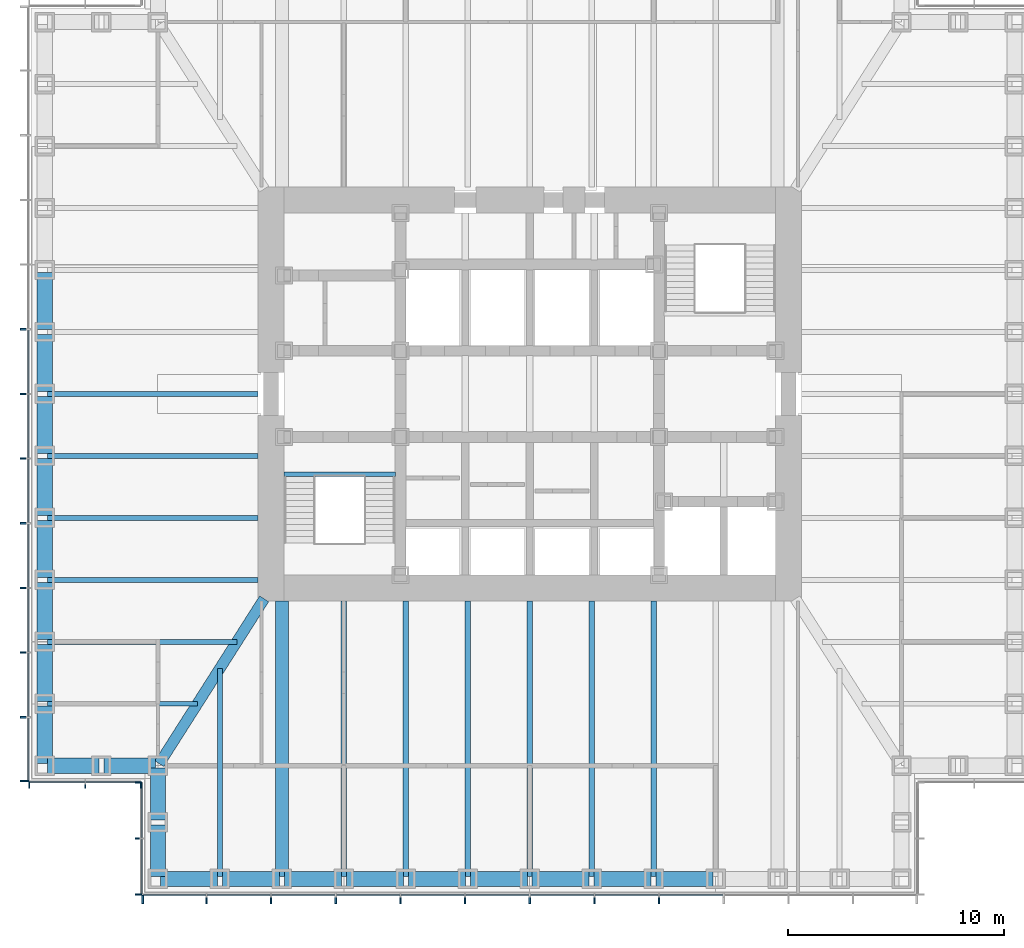
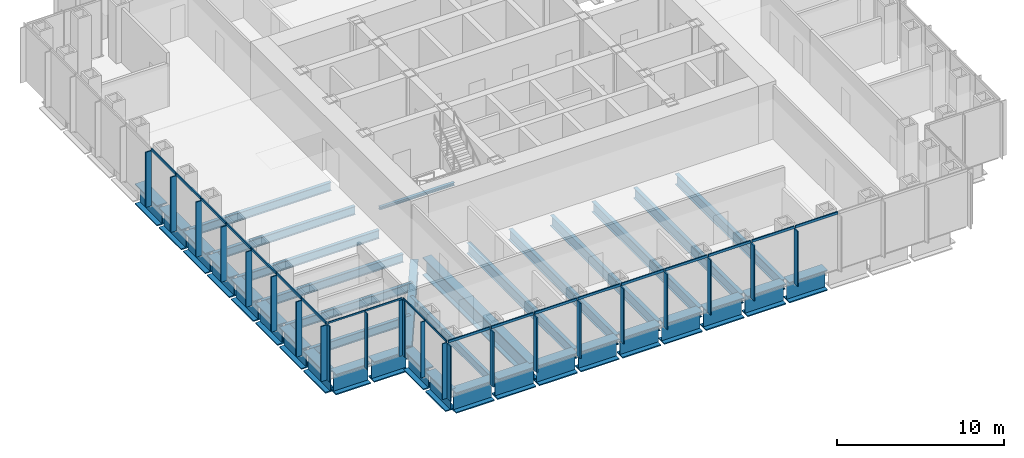
# One storey, part 2 of 17: 43 members, 37 beams, 4 elements without a shape of their own.
"""IFC4 building model written with IfcOpenShell, lengths in metres."""

from ifc_helpers import new_model, si_unit, direction, frame, origin, origin_2d, place, context, subcontext, project, spatial, rectangle, i_section, extrude, material, material_profile, profile_set, type_object, element, aggregate, save


model = new_model("IFC4")

# Units and contexts
model_context = context("Model", 3, precision=1e-05, world=origin(), true_north=direction((0.0, 1.0)))
body_context = subcontext(model_context, "Body", "Model", "MODEL_VIEW")
ifc_project = project(units=[si_unit("LENGTHUNIT", "METRE"), si_unit("AREAUNIT", "SQUARE_METRE"), si_unit("VOLUMEUNIT", "CUBIC_METRE"), si_unit("PLANEANGLEUNIT", "RADIAN"), si_unit("MASSUNIT", "GRAM", prefix="KILO")], contexts=[model_context])

# Site, building, storey
site_placement = place(None, origin())
site = spatial("IfcSite", under=ifc_project, at=site_placement, CompositionType="ELEMENT")
building_placement = place(site_placement, origin())
building = spatial("IfcBuilding", under=site, at=building_placement, Name="Daluyong Arena Tower", CompositionType="ELEMENT")
storey_placement = place(building_placement, frame((0.0, 0.0, 171.10009765625)))
storey = spatial("IfcBuildingStorey", under=building, at=storey_placement, Name="L38", CompositionType="ELEMENT", Elevation=171.10009765625)

# Curtain wall, members
ifc_material_1 = material(Name="Bronze anodised aluminium and glass", Category="aluminium")
curtain_wall_type_1 = type_object("IfcCurtainWallType", Name="Curtain wall CW2", PredefinedType="USERDEFINED", material=ifc_material_1)
curtain_wall_1_placement = place(storey_placement, origin())
curtain_wall_1 = element("IfcCurtainWall", 1, at=curtain_wall_1_placement, inside=storey, type_object=curtain_wall_type_1, Name="curtain wall L38 S", ObjectType="UNITISED CURTAIN WALL", PredefinedType="USERDEFINED")
ifc_material_2 = material(Name="Bronze anodised aluminium fin", Category="aluminium")
ifc_material_profile_1 = material_profile(ifc_material_2, rectangle(XDim=0.39990234375, YDim=0.080078125, at=origin_2d()))
ifc_profile_set_1 = profile_set([ifc_material_profile_1], Name="Bronze anodised aluminium fin")
member_type_1 = type_object("IfcMemberType", Name="CW2 bronze fin 400x80", PredefinedType="MULLION", material=ifc_profile_set_1)
member_1_placement = place(storey_placement, frame((38.0400390625, 56.550048828125, 0.0), z_axis=(0.0, 0.0, 1.0), x_axis=(0.0, 1.0, 0.0)))
member_1 = element("IfcMember", 2, at=member_1_placement, type_object=member_type_1, Name="curtain wall L38 S fin 1", PredefinedType="MULLION", context=body_context, shape_type="SweptSolid", body=[
    extrude(rectangle(XDim=0.39990234375, YDim=0.080078125, at=origin_2d()), origin(), (0.0, 0.0, 1.0), 4.02001953125),
])
member_2_placement = place(storey_placement, frame((41.0, 56.550048828125, 0.0), z_axis=(0.0, 0.0, 1.0), x_axis=(0.0, 1.0, 0.0)))
member_2 = element("IfcMember", 3, at=member_2_placement, type_object=member_type_1, Name="curtain wall L38 S fin 2", PredefinedType="MULLION", context=body_context, shape_type="SweptSolid", body=[
    extrude(rectangle(XDim=0.39990234375, YDim=0.080078125, at=origin_2d()), origin(), (0.0, 0.0, 1.0), 4.02001953125),
])
member_3_placement = place(storey_placement, frame((44.0, 56.550048828125, 0.0), z_axis=(0.0, 0.0, 1.0), x_axis=(0.0, 1.0, 0.0)))
member_3 = element("IfcMember", 4, at=member_3_placement, type_object=member_type_1, Name="curtain wall L38 S fin 3", PredefinedType="MULLION", context=body_context, shape_type="SweptSolid", body=[
    extrude(rectangle(XDim=0.39990234375, YDim=0.080078125, at=origin_2d()), origin(), (0.0, 0.0, 1.0), 4.02001953125),
])
member_4_placement = place(storey_placement, frame((47.0, 56.550048828125, 0.0), z_axis=(0.0, 0.0, 1.0), x_axis=(0.0, 1.0, 0.0)))
member_4 = element("IfcMember", 5, at=member_4_placement, type_object=member_type_1, Name="curtain wall L38 S fin 4", PredefinedType="MULLION", context=body_context, shape_type="SweptSolid", body=[
    extrude(rectangle(XDim=0.39990234375, YDim=0.080078125, at=origin_2d()), origin(), (0.0, 0.0, 1.0), 4.02001953125),
])
member_5_placement = place(storey_placement, frame((50.0, 56.550048828125, 0.0), z_axis=(0.0, 0.0, 1.0), x_axis=(0.0, 1.0, 0.0)))
member_5 = element("IfcMember", 6, at=member_5_placement, type_object=member_type_1, Name="curtain wall L38 S fin 5", PredefinedType="MULLION", context=body_context, shape_type="SweptSolid", body=[
    extrude(rectangle(XDim=0.39990234375, YDim=0.080078125, at=origin_2d()), origin(), (0.0, 0.0, 1.0), 4.02001953125),
])
member_6_placement = place(storey_placement, frame((53.0, 56.550048828125, 0.0), z_axis=(0.0, 0.0, 1.0), x_axis=(0.0, 1.0, 0.0)))
member_6 = element("IfcMember", 7, at=member_6_placement, type_object=member_type_1, Name="curtain wall L38 S fin 6", PredefinedType="MULLION", context=body_context, shape_type="SweptSolid", body=[
    extrude(rectangle(XDim=0.39990234375, YDim=0.080078125, at=origin_2d()), origin(), (0.0, 0.0, 1.0), 4.02001953125),
])
member_7_placement = place(storey_placement, frame((56.0, 56.550048828125, 0.0), z_axis=(0.0, 0.0, 1.0), x_axis=(0.0, 1.0, 0.0)))
member_7 = element("IfcMember", 8, at=member_7_placement, type_object=member_type_1, Name="curtain wall L38 S fin 7", PredefinedType="MULLION", context=body_context, shape_type="SweptSolid", body=[
    extrude(rectangle(XDim=0.39990234375, YDim=0.080078125, at=origin_2d()), origin(), (0.0, 0.0, 1.0), 4.02001953125),
])
member_8_placement = place(storey_placement, frame((59.0, 56.550048828125, 0.0), z_axis=(0.0, 0.0, 1.0), x_axis=(0.0, 1.0, 0.0)))
member_8 = element("IfcMember", 9, at=member_8_placement, type_object=member_type_1, Name="curtain wall L38 S fin 8", PredefinedType="MULLION", context=body_context, shape_type="SweptSolid", body=[
    extrude(rectangle(XDim=0.39990234375, YDim=0.080078125, at=origin_2d()), origin(), (0.0, 0.0, 1.0), 4.02001953125),
])
member_9_placement = place(storey_placement, frame((62.0, 56.550048828125, 0.0), z_axis=(0.0, 0.0, 1.0), x_axis=(0.0, 1.0, 0.0)))
member_9 = element("IfcMember", 10, at=member_9_placement, type_object=member_type_1, Name="curtain wall L38 S fin 9", PredefinedType="MULLION", context=body_context, shape_type="SweptSolid", body=[
    extrude(rectangle(XDim=0.39990234375, YDim=0.080078125, at=origin_2d()), origin(), (0.0, 0.0, 1.0), 4.02001953125),
])

curtain_wall_2_placement = place(storey_placement, origin())
curtain_wall_2 = element("IfcCurtainWall", 11, at=curtain_wall_2_placement, inside=storey, type_object=curtain_wall_type_1, Name="curtain wall L38 W", ObjectType="UNITISED CURTAIN WALL", PredefinedType="USERDEFINED")
member_10_placement = place(storey_placement, frame((32.550048828125, 83.0, 0.0), z_axis=(0.0, 0.0, 1.0), x_axis=(1.0, 0.0, 0.0)))
member_10 = element("IfcMember", 12, at=member_10_placement, type_object=member_type_1, Name="curtain wall L38 W fin 6", PredefinedType="MULLION", context=body_context, shape_type="SweptSolid", body=[
    extrude(rectangle(XDim=0.39990234375, YDim=0.080078125, at=origin_2d()), origin(), (0.0, 0.0, 1.0), 4.02001953125),
])
member_11_placement = place(storey_placement, frame((32.550048828125, 80.0, 0.0), z_axis=(0.0, 0.0, 1.0), x_axis=(1.0, 0.0, 0.0)))
member_11 = element("IfcMember", 13, at=member_11_placement, type_object=member_type_1, Name="curtain wall L38 W fin 7", PredefinedType="MULLION", context=body_context, shape_type="SweptSolid", body=[
    extrude(rectangle(XDim=0.39990234375, YDim=0.080078125, at=origin_2d()), origin(), (0.0, 0.0, 1.0), 4.02001953125),
])
member_12_placement = place(storey_placement, frame((32.550048828125, 77.0, 0.0), z_axis=(0.0, 0.0, 1.0), x_axis=(1.0, 0.0, 0.0)))
member_12 = element("IfcMember", 14, at=member_12_placement, type_object=member_type_1, Name="curtain wall L38 W fin 8", PredefinedType="MULLION", context=body_context, shape_type="SweptSolid", body=[
    extrude(rectangle(XDim=0.39990234375, YDim=0.080078125, at=origin_2d()), origin(), (0.0, 0.0, 1.0), 4.02001953125),
])
member_13_placement = place(storey_placement, frame((32.550048828125, 74.0, 0.0), z_axis=(0.0, 0.0, 1.0), x_axis=(1.0, 0.0, 0.0)))
member_13 = element("IfcMember", 15, at=member_13_placement, type_object=member_type_1, Name="curtain wall L38 W fin 9", PredefinedType="MULLION", context=body_context, shape_type="SweptSolid", body=[
    extrude(rectangle(XDim=0.39990234375, YDim=0.080078125, at=origin_2d()), origin(), (0.0, 0.0, 1.0), 4.02001953125),
])
member_14_placement = place(storey_placement, frame((32.550048828125, 71.0, 0.0), z_axis=(0.0, 0.0, 1.0), x_axis=(1.0, 0.0, 0.0)))
member_14 = element("IfcMember", 16, at=member_14_placement, type_object=member_type_1, Name="curtain wall L38 W fin 10", PredefinedType="MULLION", context=body_context, shape_type="SweptSolid", body=[
    extrude(rectangle(XDim=0.39990234375, YDim=0.080078125, at=origin_2d()), origin(), (0.0, 0.0, 1.0), 4.02001953125),
])
member_15_placement = place(storey_placement, frame((32.550048828125, 68.0, 0.0), z_axis=(0.0, 0.0, 1.0), x_axis=(1.0, 0.0, 0.0)))
member_15 = element("IfcMember", 17, at=member_15_placement, type_object=member_type_1, Name="curtain wall L38 W fin 11", PredefinedType="MULLION", context=body_context, shape_type="SweptSolid", body=[
    extrude(rectangle(XDim=0.39990234375, YDim=0.080078125, at=origin_2d()), origin(), (0.0, 0.0, 1.0), 4.02001953125),
])
member_16_placement = place(storey_placement, frame((32.550048828125, 65.0, 0.0), z_axis=(0.0, 0.0, 1.0), x_axis=(1.0, 0.0, 0.0)))
member_16 = element("IfcMember", 18, at=member_16_placement, type_object=member_type_1, Name="curtain wall L38 W fin 12", PredefinedType="MULLION", context=body_context, shape_type="SweptSolid", body=[
    extrude(rectangle(XDim=0.39990234375, YDim=0.080078125, at=origin_2d()), origin(), (0.0, 0.0, 1.0), 4.02001953125),
])
member_17_placement = place(storey_placement, frame((32.550048828125, 62.0400390625, 0.0), z_axis=(0.0, 0.0, 1.0), x_axis=(1.0, 0.0, 0.0)))
member_17 = element("IfcMember", 19, at=member_17_placement, type_object=member_type_1, Name="curtain wall L38 W fin 13", PredefinedType="MULLION", context=body_context, shape_type="SweptSolid", body=[
    extrude(rectangle(XDim=0.39990234375, YDim=0.080078125, at=origin_2d()), origin(), (0.0, 0.0, 1.0), 4.02001953125),
])

# Member
ifc_material_3 = material(Name="Bronze anodised aluminium", Category="aluminium")
ifc_material_profile_2 = material_profile(ifc_material_3, rectangle(XDim=0.080078125, YDim=0.179931640625, at=origin_2d()))
ifc_profile_set_2 = profile_set([ifc_material_profile_2], Name="Bronze anodised aluminium")
member_type_2 = type_object("IfcMemberType", Name="CW2 stack transom 180x80", PredefinedType="USERDEFINED", material=ifc_profile_set_2)
member_18_placement = place(storey_placement, frame((38.080078125, 56.75, 4.10986328125), z_axis=(1.0, 0.0, 0.0), x_axis=(0.0, 1.0, 0.0)))
member_18 = element("IfcMember", 20, at=member_18_placement, type_object=member_type_2, Name="curtain wall L38 S transom 1", ObjectType="TRANSOM", PredefinedType="USERDEFINED", context=body_context, shape_type="SweptSolid", body=[
    extrude(rectangle(XDim=0.080078125, YDim=0.179931640625, at=origin_2d()), origin(), (0.0, 0.0, 1.0), 2.8798828125),
])

member_19_placement = place(storey_placement, frame((41.0400390625, 56.75, 4.10986328125), z_axis=(1.0, 0.0, 0.0), x_axis=(0.0, 1.0, 0.0)))
member_19 = element("IfcMember", 21, at=member_19_placement, type_object=member_type_2, Name="curtain wall L38 S transom 2", ObjectType="TRANSOM", PredefinedType="USERDEFINED", context=body_context, shape_type="SweptSolid", body=[
    extrude(rectangle(XDim=0.080078125, YDim=0.179931640625, at=origin_2d()), origin(), (0.0, 0.0, 1.0), 2.919921875),
])

member_20_placement = place(storey_placement, frame((44.0400390625, 56.75, 4.10986328125), z_axis=(1.0, 0.0, 0.0), x_axis=(0.0, 1.0, 0.0)))
member_20 = element("IfcMember", 22, at=member_20_placement, type_object=member_type_2, Name="curtain wall L38 S transom 3", ObjectType="TRANSOM", PredefinedType="USERDEFINED", context=body_context, shape_type="SweptSolid", body=[
    extrude(rectangle(XDim=0.080078125, YDim=0.179931640625, at=origin_2d()), origin(), (0.0, 0.0, 1.0), 2.919921875),
])

member_21_placement = place(storey_placement, frame((47.0400390625, 56.75, 4.10986328125), z_axis=(1.0, 0.0, 0.0), x_axis=(0.0, 1.0, 0.0)))
member_21 = element("IfcMember", 23, at=member_21_placement, type_object=member_type_2, Name="curtain wall L38 S transom 4", ObjectType="TRANSOM", PredefinedType="USERDEFINED", context=body_context, shape_type="SweptSolid", body=[
    extrude(rectangle(XDim=0.080078125, YDim=0.179931640625, at=origin_2d()), origin(), (0.0, 0.0, 1.0), 2.919921875),
])

member_22_placement = place(storey_placement, frame((50.0400390625, 56.75, 4.10986328125), z_axis=(1.0, 0.0, 0.0), x_axis=(0.0, 1.0, 0.0)))
member_22 = element("IfcMember", 24, at=member_22_placement, type_object=member_type_2, Name="curtain wall L38 S transom 5", ObjectType="TRANSOM", PredefinedType="USERDEFINED", context=body_context, shape_type="SweptSolid", body=[
    extrude(rectangle(XDim=0.080078125, YDim=0.179931640625, at=origin_2d()), origin(), (0.0, 0.0, 1.0), 2.919921875),
])

member_23_placement = place(storey_placement, frame((53.0400390625, 56.75, 4.10986328125), z_axis=(1.0, 0.0, 0.0), x_axis=(0.0, 1.0, 0.0)))
member_23 = element("IfcMember", 25, at=member_23_placement, type_object=member_type_2, Name="curtain wall L38 S transom 6", ObjectType="TRANSOM", PredefinedType="USERDEFINED", context=body_context, shape_type="SweptSolid", body=[
    extrude(rectangle(XDim=0.080078125, YDim=0.179931640625, at=origin_2d()), origin(), (0.0, 0.0, 1.0), 2.919921875),
])

member_24_placement = place(storey_placement, frame((56.0400390625, 56.75, 4.10986328125), z_axis=(1.0, 0.0, 0.0), x_axis=(0.0, 1.0, 0.0)))
member_24 = element("IfcMember", 26, at=member_24_placement, type_object=member_type_2, Name="curtain wall L38 S transom 7", ObjectType="TRANSOM", PredefinedType="USERDEFINED", context=body_context, shape_type="SweptSolid", body=[
    extrude(rectangle(XDim=0.080078125, YDim=0.179931640625, at=origin_2d()), origin(), (0.0, 0.0, 1.0), 2.919921875),
])

member_25_placement = place(storey_placement, frame((59.0400390625, 56.75, 4.10986328125), z_axis=(1.0, 0.0, 0.0), x_axis=(0.0, 1.0, 0.0)))
member_25 = element("IfcMember", 27, at=member_25_placement, type_object=member_type_2, Name="curtain wall L38 S transom 8", ObjectType="TRANSOM", PredefinedType="USERDEFINED", context=body_context, shape_type="SweptSolid", body=[
    extrude(rectangle(XDim=0.080078125, YDim=0.179931640625, at=origin_2d()), origin(), (0.0, 0.0, 1.0), 2.919921875),
])

member_26_placement = place(storey_placement, frame((62.0400390625, 56.75, 4.10986328125), z_axis=(1.0, 0.0, 0.0), x_axis=(0.0, 1.0, 0.0)))
member_26 = element("IfcMember", 28, at=member_26_placement, type_object=member_type_2, Name="curtain wall L38 S transom 9", ObjectType="TRANSOM", PredefinedType="USERDEFINED", context=body_context, shape_type="SweptSolid", body=[
    extrude(rectangle(XDim=0.080078125, YDim=0.179931640625, at=origin_2d()), origin(), (0.0, 0.0, 1.0), 2.919921875),
])

aggregate(curtain_wall_1, [member_1, member_2, member_3, member_4, member_5, member_6, member_7, member_8, member_9, member_18, member_19, member_20, member_21, member_22, member_23, member_24, member_25, member_26])

member_27_placement = place(storey_placement, frame((32.75, 82.9599609375, 4.10986328125), z_axis=(0.0, -1.0, 0.0), x_axis=(1.0, 0.0, 0.0)))
member_27 = element("IfcMember", 29, at=member_27_placement, type_object=member_type_2, Name="curtain wall L38 W transom 6", ObjectType="TRANSOM", PredefinedType="USERDEFINED", context=body_context, shape_type="SweptSolid", body=[
    extrude(rectangle(XDim=0.080078125, YDim=0.179931640625, at=origin_2d()), origin(), (0.0, 0.0, 1.0), 2.919921875),
])

member_28_placement = place(storey_placement, frame((32.75, 79.9599609375, 4.10986328125), z_axis=(0.0, -1.0, 0.0), x_axis=(1.0, 0.0, 0.0)))
member_28 = element("IfcMember", 30, at=member_28_placement, type_object=member_type_2, Name="curtain wall L38 W transom 7", ObjectType="TRANSOM", PredefinedType="USERDEFINED", context=body_context, shape_type="SweptSolid", body=[
    extrude(rectangle(XDim=0.080078125, YDim=0.179931640625, at=origin_2d()), origin(), (0.0, 0.0, 1.0), 2.919921875),
])

member_29_placement = place(storey_placement, frame((32.75, 76.9599609375, 4.10986328125), z_axis=(0.0, -1.0, 0.0), x_axis=(1.0, 0.0, 0.0)))
member_29 = element("IfcMember", 31, at=member_29_placement, type_object=member_type_2, Name="curtain wall L38 W transom 8", ObjectType="TRANSOM", PredefinedType="USERDEFINED", context=body_context, shape_type="SweptSolid", body=[
    extrude(rectangle(XDim=0.080078125, YDim=0.179931640625, at=origin_2d()), origin(), (0.0, 0.0, 1.0), 2.919921875),
])

member_30_placement = place(storey_placement, frame((32.75, 73.9599609375, 4.10986328125), z_axis=(0.0, -1.0, 0.0), x_axis=(1.0, 0.0, 0.0)))
member_30 = element("IfcMember", 32, at=member_30_placement, type_object=member_type_2, Name="curtain wall L38 W transom 9", ObjectType="TRANSOM", PredefinedType="USERDEFINED", context=body_context, shape_type="SweptSolid", body=[
    extrude(rectangle(XDim=0.080078125, YDim=0.179931640625, at=origin_2d()), origin(), (0.0, 0.0, 1.0), 2.919921875),
])

member_31_placement = place(storey_placement, frame((32.75, 70.9599609375, 4.10986328125), z_axis=(0.0, -1.0, 0.0), x_axis=(1.0, 0.0, 0.0)))
member_31 = element("IfcMember", 33, at=member_31_placement, type_object=member_type_2, Name="curtain wall L38 W transom 10", ObjectType="TRANSOM", PredefinedType="USERDEFINED", context=body_context, shape_type="SweptSolid", body=[
    extrude(rectangle(XDim=0.080078125, YDim=0.179931640625, at=origin_2d()), origin(), (0.0, 0.0, 1.0), 2.919921875),
])

member_32_placement = place(storey_placement, frame((32.75, 67.9599609375, 4.10986328125), z_axis=(0.0, -1.0, 0.0), x_axis=(1.0, 0.0, 0.0)))
member_32 = element("IfcMember", 34, at=member_32_placement, type_object=member_type_2, Name="curtain wall L38 W transom 11", ObjectType="TRANSOM", PredefinedType="USERDEFINED", context=body_context, shape_type="SweptSolid", body=[
    extrude(rectangle(XDim=0.080078125, YDim=0.179931640625, at=origin_2d()), origin(), (0.0, 0.0, 1.0), 2.919921875),
])

member_33_placement = place(storey_placement, frame((32.75, 64.9599609375, 4.10986328125), z_axis=(0.0, -1.0, 0.0), x_axis=(1.0, 0.0, 0.0)))
member_33 = element("IfcMember", 35, at=member_33_placement, type_object=member_type_2, Name="curtain wall L38 W transom 12", ObjectType="TRANSOM", PredefinedType="USERDEFINED", context=body_context, shape_type="SweptSolid", body=[
    extrude(rectangle(XDim=0.080078125, YDim=0.179931640625, at=origin_2d()), origin(), (0.0, 0.0, 1.0), 2.8798828125),
])

aggregate(curtain_wall_2, [member_10, member_11, member_12, member_13, member_14, member_15, member_16, member_17, member_27, member_28, member_29, member_30, member_31, member_32, member_33])

# Curtain wall, members
ifc_material_4 = material(Name="Bronze anodised aluminium and glass", Category="aluminium")
curtain_wall_type_2 = type_object("IfcCurtainWallType", Name="Curtain wall CW7", PredefinedType="USERDEFINED", material=ifc_material_4)
curtain_wall_3_placement = place(storey_placement, origin())
curtain_wall_3 = element("IfcCurtainWall", 36, at=curtain_wall_3_placement, inside=storey, type_object=curtain_wall_type_2, Name="curtain wall L38 SW-S", ObjectType="UNITISED CURTAIN WALL", PredefinedType="USERDEFINED")
ifc_material_5 = material(Name="Bronze anodised aluminium fin", Category="aluminium")
ifc_material_profile_3 = material_profile(ifc_material_5, rectangle(XDim=0.300048828125, YDim=0.06005859375, at=origin_2d()))
ifc_profile_set_3 = profile_set([ifc_material_profile_3], Name="Bronze anodised aluminium fin")
member_type_3 = type_object("IfcMemberType", Name="CW7 bronze fin 300x60", PredefinedType="MULLION", material=ifc_profile_set_3)
member_34_placement = place(storey_placement, frame((32.780029296875, 61.85009765625, 0.0), z_axis=(0.0, 0.0, 1.0), x_axis=(0.0, 1.0, 0.0)))
member_34 = element("IfcMember", 37, at=member_34_placement, type_object=member_type_3, Name="curtain wall L38 SW-S fin 1", PredefinedType="MULLION", context=body_context, shape_type="SweptSolid", body=[
    extrude(rectangle(XDim=0.300048828125, YDim=0.06005859375, at=origin_2d()), origin(), (0.0, 0.0, 1.0), 4.079833984375),
])
member_35_placement = place(storey_placement, frame((35.375, 61.85009765625, 0.0), z_axis=(0.0, 0.0, 1.0), x_axis=(0.0, 1.0, 0.0)))
member_35 = element("IfcMember", 38, at=member_35_placement, type_object=member_type_3, Name="curtain wall L38 SW-S fin 2", PredefinedType="MULLION", context=body_context, shape_type="SweptSolid", body=[
    extrude(rectangle(XDim=0.300048828125, YDim=0.06005859375, at=origin_2d()), origin(), (0.0, 0.0, 1.0), 4.079833984375),
])
member_36_placement = place(storey_placement, frame((37.969970703125, 61.85009765625, 0.0), z_axis=(0.0, 0.0, 1.0), x_axis=(0.0, 1.0, 0.0)))
member_36 = element("IfcMember", 39, at=member_36_placement, type_object=member_type_3, Name="curtain wall L38 SW-S fin 3", PredefinedType="MULLION", context=body_context, shape_type="SweptSolid", body=[
    extrude(rectangle(XDim=0.300048828125, YDim=0.06005859375, at=origin_2d()), origin(), (0.0, 0.0, 1.0), 4.079833984375),
])

curtain_wall_4_placement = place(storey_placement, origin())
curtain_wall_4 = element("IfcCurtainWall", 40, at=curtain_wall_4_placement, inside=storey, type_object=curtain_wall_type_2, Name="curtain wall L38 SW-W", ObjectType="UNITISED CURTAIN WALL", PredefinedType="USERDEFINED")
member_37_placement = place(storey_placement, frame((37.85009765625, 61.969970703125, 0.0), z_axis=(0.0, 0.0, 1.0), x_axis=(1.0, 0.0, 0.0)))
member_37 = element("IfcMember", 41, at=member_37_placement, type_object=member_type_3, Name="curtain wall L38 SW-W fin 1", PredefinedType="MULLION", context=body_context, shape_type="SweptSolid", body=[
    extrude(rectangle(XDim=0.300048828125, YDim=0.06005859375, at=origin_2d()), origin(), (0.0, 0.0, 1.0), 4.079833984375),
])
member_38_placement = place(storey_placement, frame((37.85009765625, 59.375, 0.0), z_axis=(0.0, 0.0, 1.0), x_axis=(1.0, 0.0, 0.0)))
member_38 = element("IfcMember", 42, at=member_38_placement, type_object=member_type_3, Name="curtain wall L38 SW-W fin 2", PredefinedType="MULLION", context=body_context, shape_type="SweptSolid", body=[
    extrude(rectangle(XDim=0.300048828125, YDim=0.06005859375, at=origin_2d()), origin(), (0.0, 0.0, 1.0), 4.079833984375),
])
member_39_placement = place(storey_placement, frame((37.85009765625, 56.780029296875, 0.0), z_axis=(0.0, 0.0, 1.0), x_axis=(1.0, 0.0, 0.0)))
member_39 = element("IfcMember", 43, at=member_39_placement, type_object=member_type_3, Name="curtain wall L38 SW-W fin 3", PredefinedType="MULLION", context=body_context, shape_type="SweptSolid", body=[
    extrude(rectangle(XDim=0.300048828125, YDim=0.06005859375, at=origin_2d()), origin(), (0.0, 0.0, 1.0), 4.079833984375),
])

# Member
ifc_material_6 = material(Name="Bronze anodised aluminium", Category="aluminium")
ifc_material_profile_4 = material_profile(ifc_material_6, rectangle(XDim=0.06005859375, YDim=0.1201171875, at=origin_2d()))
ifc_profile_set_4 = profile_set([ifc_material_profile_4], Name="Bronze anodised aluminium")
member_type_4 = type_object("IfcMemberType", Name="CW7 stack transom 120x60", PredefinedType="USERDEFINED", material=ifc_profile_set_4)
member_40_placement = place(storey_placement, frame((32.81005859375, 62.0, 4.139892578125), z_axis=(1.0, 0.0, 0.0), x_axis=(0.0, 1.0, 0.0)))
member_40 = element("IfcMember", 44, at=member_40_placement, type_object=member_type_4, Name="curtain wall L38 SW-S transom 1", ObjectType="TRANSOM", PredefinedType="USERDEFINED", context=body_context, shape_type="SweptSolid", body=[
    extrude(rectangle(XDim=0.06005859375, YDim=0.1201171875, at=origin_2d()), origin(), (0.0, 0.0, 1.0), 2.534912109375),
])

member_41_placement = place(storey_placement, frame((35.405029296875, 62.0, 4.139892578125), z_axis=(1.0, 0.0, 0.0), x_axis=(0.0, 1.0, 0.0)))
member_41 = element("IfcMember", 45, at=member_41_placement, type_object=member_type_4, Name="curtain wall L38 SW-S transom 2", ObjectType="TRANSOM", PredefinedType="USERDEFINED", context=body_context, shape_type="SweptSolid", body=[
    extrude(rectangle(XDim=0.06005859375, YDim=0.1201171875, at=origin_2d()), origin(), (0.0, 0.0, 1.0), 2.534912109375),
])

aggregate(curtain_wall_3, [member_34, member_35, member_36, member_40, member_41])

member_42_placement = place(storey_placement, frame((38.0, 61.93994140625, 4.139892578125), z_axis=(0.0, -1.0, 0.0), x_axis=(1.0, 0.0, 0.0)))
member_42 = element("IfcMember", 46, at=member_42_placement, type_object=member_type_4, Name="curtain wall L38 SW-W transom 1", ObjectType="TRANSOM", PredefinedType="USERDEFINED", context=body_context, shape_type="SweptSolid", body=[
    extrude(rectangle(XDim=0.06005859375, YDim=0.1201171875, at=origin_2d()), origin(), (0.0, 0.0, 1.0), 2.534912109375),
])

member_43_placement = place(storey_placement, frame((38.0, 59.344970703125, 4.139892578125), z_axis=(0.0, -1.0, 0.0), x_axis=(1.0, 0.0, 0.0)))
member_43 = element("IfcMember", 47, at=member_43_placement, type_object=member_type_4, Name="curtain wall L38 SW-W transom 2", ObjectType="TRANSOM", PredefinedType="USERDEFINED", context=body_context, shape_type="SweptSolid", body=[
    extrude(rectangle(XDim=0.06005859375, YDim=0.1201171875, at=origin_2d()), origin(), (0.0, 0.0, 1.0), 2.534912109375),
])

aggregate(curtain_wall_4, [member_37, member_38, member_39, member_42, member_43])

# Beams
ifc_material_7 = material(Name="Steel ASTM A572 Grade 50", Category="steel")
ifc_material_profile_5 = material_profile(ifc_material_7, i_section(OverallWidth=0.5, OverallDepth=1.0, WebThickness=0.03, FlangeThickness=0.06, at=origin_2d()))
ifc_profile_set_5 = profile_set([ifc_material_profile_5], Name="Steel ASTM A572 Grade 50")
beam_type_1 = type_object("IfcBeamType", Name="Corner girder TB1000X500", PredefinedType="BEAM", material=ifc_profile_set_5)
beam_1_placement = place(storey_placement, frame((38.811767578125, 62.846923828125, -0.66015625), z_axis=(0.536872006459, 0.843663705916, 0.0), x_axis=(-0.843663705916, 0.536872006459, 0.0)))
element("IfcBeam", 48, at=beam_1_placement, inside=storey, type_object=beam_type_1, Name="corner girder DG2", PredefinedType="BEAM", context=body_context, shape_type="SweptSolid", body=[
    extrude(i_section(OverallWidth=0.5, OverallDepth=1.0, WebThickness=0.03, FlangeThickness=0.06, at=origin_2d()), origin(), (0.0, 0.0, 1.0), 9.06396484375),
])
ifc_material_8 = material(Name="Steel ASTM A572 Grade 50", Category="steel")
ifc_material_profile_6 = material_profile(ifc_material_8, i_section(OverallWidth=0.60009765625, OverallDepth=1.300048828125, WebThickness=0.035, FlangeThickness=0.07, at=origin_2d()))
ifc_profile_set_6 = profile_set([ifc_material_profile_6], Name="Steel ASTM A572 Grade 50")
beam_type_2 = type_object("IfcBeamType", Name="Floor beam TB1300X600", PredefinedType="BEAM", material=ifc_profile_set_6)
beam_2_placement = place(storey_placement, frame((44.5, 57.614990234375, -0.81005859375), z_axis=(0.0, 1.0, 0.0), x_axis=(-1.0, 0.0, 0.0)))
element("IfcBeam", 49, at=beam_2_placement, inside=storey, type_object=beam_type_2, Name="floor beam FB7", PredefinedType="BEAM", context=body_context, shape_type="SweptSolid", body=[
    extrude(i_section(OverallWidth=0.60009765625, OverallDepth=1.300048828125, WebThickness=0.035, FlangeThickness=0.07, at=origin_2d()), origin(), (0.0, 0.0, 1.0), 12.784912109375),
])
ifc_material_9 = material(Name="Steel ASTM A992 Grade 50", Category="steel")
ifc_material_profile_7 = material_profile(ifc_material_9, i_section(OverallWidth=0.22900390625, OverallDepth=0.612060546875, WebThickness=0.011962890625, FlangeThickness=0.01953125, at=origin_2d()))
ifc_profile_set_7 = profile_set([ifc_material_profile_7], Name="Steel ASTM A992 Grade 50")
beam_type_3 = type_object("IfcBeamType", Name="Floor beam W24X84", PredefinedType="BEAM", material=ifc_profile_set_7)
beam_3_placement = place(storey_placement, frame((41.625, 57.614990234375, -0.466064453125), z_axis=(0.0, 1.0, 0.0), x_axis=(-1.0, 0.0, 0.0)))
element("IfcBeam", 50, at=beam_3_placement, inside=storey, type_object=beam_type_3, Name="floor beam FB3", PredefinedType="BEAM", context=body_context, shape_type="SweptSolid", body=[
    extrude(i_section(OverallWidth=0.22900390625, OverallDepth=0.612060546875, WebThickness=0.011962890625, FlangeThickness=0.01953125, at=origin_2d()), origin(), (0.0, 0.0, 1.0), 9.65283203125),
])
for number, where, z_axis, x_axis, name in (
    (51, (33.614990234375, 80.0, -0.466064453125), (1.0, 0.0, 0.0), (0.0, 1.0, 0.0), "floor beam FB3"),
    (52, (33.614990234375, 77.125, -0.466064453125), (1.0, 0.0, 0.0), (0.0, 1.0, 0.0), "floor beam FB3"),
    (53, (33.614990234375, 74.25, -0.466064453125), (1.0, 0.0, 0.0), (0.0, 1.0, 0.0), "floor beam FB3"),
    (54, (33.614990234375, 71.375, -0.466064453125), (1.0, 0.0, 0.0), (0.0, 1.0, 0.0), "floor beam FB3"),
):
    element("IfcBeam", number, at=place(storey_placement, frame(where, z_axis=z_axis, x_axis=x_axis)), inside=storey, type_object=beam_type_3, Name=name, PredefinedType="BEAM", context=body_context, shape_type="SweptSolid", body=[
        extrude(i_section(OverallWidth=0.22900390625, OverallDepth=0.612060546875, WebThickness=0.011962890625, FlangeThickness=0.01953125, at=origin_2d()), origin(), (0.0, 0.0, 1.0), 9.784912109375),
    ])
beam_4_placement = place(storey_placement, frame((33.614990234375, 68.5, -0.466064453125), z_axis=(1.0, 0.0, 0.0), x_axis=(0.0, 1.0, 0.0)))
element("IfcBeam", 55, at=beam_4_placement, inside=storey, type_object=beam_type_3, Name="floor beam FB3", PredefinedType="BEAM", context=body_context, shape_type="SweptSolid", body=[
    extrude(i_section(OverallWidth=0.22900390625, OverallDepth=0.612060546875, WebThickness=0.011962890625, FlangeThickness=0.01953125, at=origin_2d()), origin(), (0.0, 0.0, 1.0), 8.794189453125),
])
beam_5_placement = place(storey_placement, frame((33.614990234375, 65.625, -0.466064453125), z_axis=(1.0, 0.0, 0.0), x_axis=(0.0, 1.0, 0.0)))
element("IfcBeam", 56, at=beam_5_placement, inside=storey, type_object=beam_type_3, Name="floor beam FB3", PredefinedType="BEAM", context=body_context, shape_type="SweptSolid", body=[
    extrude(i_section(OverallWidth=0.22900390625, OverallDepth=0.612060546875, WebThickness=0.011962890625, FlangeThickness=0.01953125, at=origin_2d()), origin(), (0.0, 0.0, 1.0), 6.964599609375),
])
ifc_material_10 = material(Name="Steel ASTM A992 Grade 50", Category="steel")
ifc_material_profile_8 = material_profile(ifc_material_10, i_section(OverallWidth=0.2666015625, OverallDepth=0.761962890625, WebThickness=0.014404296875, FlangeThickness=0.021484375, at=origin_2d()))
ifc_profile_set_8 = profile_set([ifc_material_profile_8], Name="Steel ASTM A992 Grade 50")
beam_type_4 = type_object("IfcBeamType", Name="Floor beam W30X116", PredefinedType="BEAM", material=ifc_profile_set_8)
for number, where, z_axis, x_axis, name in (
    (57, (47.375, 57.614990234375, -0.541015625), (0.0, 1.0, 0.0), (-1.0, 0.0, 0.0), "floor beam FB4"),
    (58, (50.25, 57.614990234375, -0.541015625), (0.0, 1.0, 0.0), (-1.0, 0.0, 0.0), "floor beam FB4"),
    (59, (53.125, 57.614990234375, -0.541015625), (0.0, 1.0, 0.0), (-1.0, 0.0, 0.0), "floor beam FB4"),
    (60, (56.0, 57.614990234375, -0.541015625), (0.0, 1.0, 0.0), (-1.0, 0.0, 0.0), "floor beam FB4"),
    (61, (58.875, 57.614990234375, -0.541015625), (0.0, 1.0, 0.0), (-1.0, 0.0, 0.0), "floor beam FB4"),
    (62, (61.75, 57.614990234375, -0.541015625), (0.0, 1.0, 0.0), (-1.0, 0.0, 0.0), "floor beam FB4"),
):
    element("IfcBeam", number, at=place(storey_placement, frame(where, z_axis=z_axis, x_axis=x_axis)), inside=storey, type_object=beam_type_4, Name=name, PredefinedType="BEAM", context=body_context, shape_type="SweptSolid", body=[
        extrude(i_section(OverallWidth=0.2666015625, OverallDepth=0.761962890625, WebThickness=0.014404296875, FlangeThickness=0.021484375, at=origin_2d()), origin(), (0.0, 0.0, 1.0), 12.784912109375),
    ])
ifc_material_11 = material(Name="Steel ASTM A572 Grade 50", Category="steel")
ifc_material_profile_9 = material_profile(ifc_material_11, i_section(OverallWidth=0.699951171875, OverallDepth=1.5, WebThickness=0.04, FlangeThickness=0.08, at=origin_2d()))
ifc_profile_set_9 = profile_set([ifc_material_profile_9], Name="Steel ASTM A572 Grade 50")
beam_type_5 = type_object("IfcBeamType", Name="Spandrel Z2 PG1500X700", PredefinedType="SPANDREL", material=ifc_profile_set_9)
for number, where, z_axis, x_axis, name in (
    (63, (38.864990234375, 57.5, -0.91015625), (1.0, 0.0, 0.0), (0.0, 1.0, 0.0), "spandrel z2 SB6"),
    (64, (41.739990234375, 57.5, -0.91015625), (1.0, 0.0, 0.0), (0.0, 1.0, 0.0), "spandrel z2 SB6"),
    (65, (44.614990234375, 57.5, -0.91015625), (1.0, 0.0, 0.0), (0.0, 1.0, 0.0), "spandrel z2 SB6"),
    (66, (47.489990234375, 57.5, -0.91015625), (1.0, 0.0, 0.0), (0.0, 1.0, 0.0), "spandrel z2 SB6"),
    (67, (50.364990234375, 57.5, -0.91015625), (1.0, 0.0, 0.0), (0.0, 1.0, 0.0), "spandrel z2 SB6"),
    (68, (53.239990234375, 57.5, -0.91015625), (1.0, 0.0, 0.0), (0.0, 1.0, 0.0), "spandrel z2 SB6"),
    (69, (56.114990234375, 57.5, -0.91015625), (1.0, 0.0, 0.0), (0.0, 1.0, 0.0), "spandrel z2 SB6"),
    (70, (58.989990234375, 57.5, -0.91015625), (1.0, 0.0, 0.0), (0.0, 1.0, 0.0), "spandrel z2 SB6"),
    (71, (61.864990234375, 57.5, -0.91015625), (1.0, 0.0, 0.0), (0.0, 1.0, 0.0), "spandrel z2 SB6"),
    (72, (33.5, 85.635009765625, -0.91015625), (0.0, -1.0, 0.0), (1.0, 0.0, 0.0), "spandrel z2 SB6"),
    (73, (33.5, 82.760009765625, -0.91015625), (0.0, -1.0, 0.0), (1.0, 0.0, 0.0), "spandrel z2 SB6"),
    (74, (33.5, 79.885009765625, -0.91015625), (0.0, -1.0, 0.0), (1.0, 0.0, 0.0), "spandrel z2 SB6"),
    (75, (33.5, 77.010009765625, -0.91015625), (0.0, -1.0, 0.0), (1.0, 0.0, 0.0), "spandrel z2 SB6"),
    (76, (33.5, 74.135009765625, -0.91015625), (0.0, -1.0, 0.0), (1.0, 0.0, 0.0), "spandrel z2 SB6"),
    (77, (33.5, 71.260009765625, -0.91015625), (0.0, -1.0, 0.0), (1.0, 0.0, 0.0), "spandrel z2 SB6"),
    (78, (33.5, 68.385009765625, -0.91015625), (0.0, -1.0, 0.0), (1.0, 0.0, 0.0), "spandrel z2 SB6"),
    (79, (33.5, 65.510009765625, -0.91015625), (0.0, -1.0, 0.0), (1.0, 0.0, 0.0), "spandrel z2 SB6"),
):
    element("IfcBeam", number, at=place(storey_placement, frame(where, z_axis=z_axis, x_axis=x_axis)), inside=storey, type_object=beam_type_5, Name=name, PredefinedType="SPANDREL", context=body_context, shape_type="SweptSolid", body=[
        extrude(i_section(OverallWidth=0.699951171875, OverallDepth=1.5, WebThickness=0.04, FlangeThickness=0.08, at=origin_2d()), origin(), (0.0, 0.0, 1.0), 2.64501953125),
    ])
for number, where, z_axis, x_axis, name in (
    (80, (33.614990234375, 62.75, -0.91015625), (1.0, 0.0, 0.0), (0.0, 1.0, 0.0), "spandrel z2 SB6"),
    (81, (36.239990234375, 62.75, -0.91015625), (1.0, 0.0, 0.0), (0.0, 1.0, 0.0), "spandrel z2 SB6"),
    (82, (38.75, 62.635009765625, -0.91015625), (0.0, -1.0, 0.0), (1.0, 0.0, 0.0), "spandrel z2 SB6"),
    (83, (38.75, 60.010009765625, -0.91015625), (0.0, -1.0, 0.0), (1.0, 0.0, 0.0), "spandrel z2 SB6"),
):
    element("IfcBeam", number, at=place(storey_placement, frame(where, z_axis=z_axis, x_axis=x_axis)), inside=storey, type_object=beam_type_5, Name=name, PredefinedType="SPANDREL", context=body_context, shape_type="SweptSolid", body=[
        extrude(i_section(OverallWidth=0.699951171875, OverallDepth=1.5, WebThickness=0.04, FlangeThickness=0.08, at=origin_2d()), origin(), (0.0, 0.0, 1.0), 2.39501953125),
    ])
ifc_material_12 = material(Name="Steel ASTM A992 Grade 50", Category="steel")
ifc_material_profile_10 = material_profile(ifc_material_12, i_section(OverallWidth=0.203125, OverallDepth=0.203125, WebThickness=0.00732421875, FlangeThickness=0.010986328125, at=origin_2d()))
ifc_profile_set_10 = profile_set([ifc_material_profile_10], Name="Steel ASTM A992 Grade 50")
beam_type_6 = type_object("IfcBeamType", Name="Stair landing beam W8X31", PredefinedType="BEAM", material=ifc_profile_set_10)
beam_6_placement = place(storey_placement, frame((44.60009765625, 76.276611328125, -0.26171875), z_axis=(1.0, 0.0, 0.0), x_axis=(0.0, 1.0, 0.0)))
element("IfcBeam", 84, at=beam_6_placement, inside=storey, type_object=beam_type_6, Name="exit stair A landing beam", PredefinedType="BEAM", context=body_context, shape_type="SweptSolid", body=[
    extrude(i_section(OverallWidth=0.203125, OverallDepth=0.203125, WebThickness=0.00732421875, FlangeThickness=0.010986328125, at=origin_2d()), origin(), (0.0, 0.0, 1.0), 5.1748046875),
])

save(model, "model.ifc")
